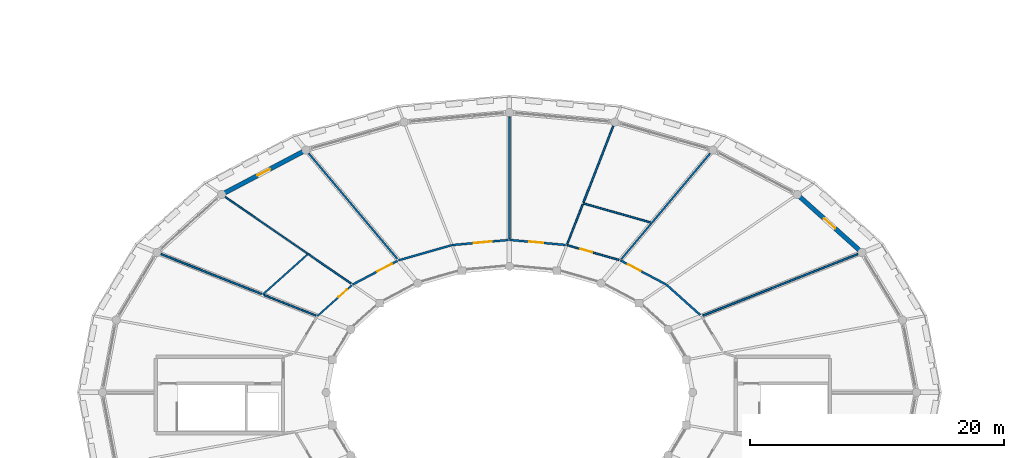
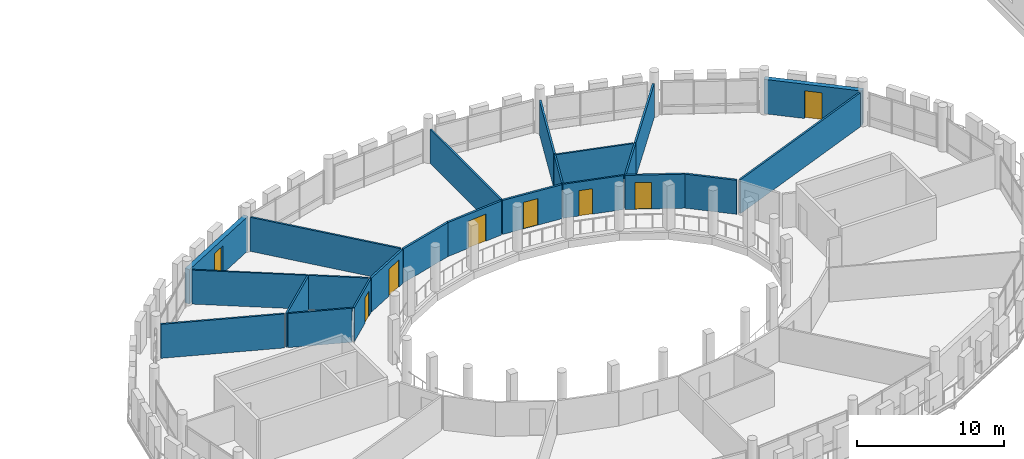
# One storey, part 74 of 84: 23 walls, 8 doors, 8 openings.
"""IFC4 building model written with IfcOpenShell, lengths in metres."""

from ifc_helpers import new_model, si_unit, direction, frame, frame_2d, origin, place, context, subcontext, project, spatial, rectangle, extrude, material, layer, layer_set, type_object, element, fill, save


model = new_model("IFC4")

# Units and contexts
model_context = context("Model", 3, precision=1e-05, world=origin(), true_north=direction((0.0, 1.0)))
body_context = subcontext(model_context, "Body", "Model", "MODEL_VIEW")
ifc_project = project(units=[si_unit("LENGTHUNIT", "METRE"), si_unit("AREAUNIT", "SQUARE_METRE"), si_unit("VOLUMEUNIT", "CUBIC_METRE"), si_unit("PLANEANGLEUNIT", "RADIAN"), si_unit("MASSUNIT", "GRAM", prefix="KILO")], contexts=[model_context])

# Site, building, storey
site_placement = place(None, origin())
site = spatial("IfcSite", under=ifc_project, at=site_placement, CompositionType="ELEMENT")
building_placement = place(site_placement, origin())
building = spatial("IfcBuilding", under=site, at=building_placement, Name="Zornivar Specialist Clinic", CompositionType="ELEMENT")
storey_placement = place(building_placement, frame((0.0, 0.0, 12.300048828125)))
storey = spatial("IfcBuildingStorey", under=building, at=storey_placement, Name="L03", CompositionType="ELEMENT", Elevation=12.300048828125)

# Wall, opening, door
ifc_material_1 = material(Name="Masonry Drum Limestone Portal Wall", Category="masonry")
ifc_layer_1 = layer(ifc_material_1, 0.35009765625)
ifc_layer_set_1 = layer_set([ifc_layer_1], Name="Masonry Drum Limestone Portal Wall")
wall_type_1 = type_object("IfcWallType", Name="EW-DRUM-350", PredefinedType="SOLIDWALL", material=ifc_layer_set_1)
wall_1_placement = place(storey_placement, frame((121.31298828125, 68.60009765625, 0.0), z_axis=(0.0, 0.0, 1.0), x_axis=(-0.744853105459, 0.66722848507, 0.0)))
wall_1 = element("IfcWall", 1, at=wall_1_placement, inside=storey, type_object=wall_type_1, Name="ew:V1:L03:c02", PredefinedType="SOLIDWALL", context=body_context, shape_type="SweptSolid", body=[
    extrude(rectangle(XDim=6.828125, YDim=0.35009765625, at=frame_2d((3.4140625, 0.0))), origin(), (0.0, 0.0, 1.0), 2.849853515625),
])
opening_1_placement = place(wall_1_placement, frame((2.81396484375, 0.0, 0.0)))
opening_1 = element("IfcOpeningElement", 2, at=opening_1_placement, cuts=wall_1, Name="Opening BD-01", PredefinedType="OPENING", context=body_context, shape_type="SweptSolid", body=[
    extrude(rectangle(XDim=1.199951171875, YDim=2.300048828125, at=frame_2d((0.60009765625, 1.14990234375))), frame((0.0, 0.18505859375, 0.0), z_axis=(0.0, -1.0, 0.0), x_axis=(1.0, 0.0, 0.0)), (0.0, 0.0, 1.0), 0.3701171875),
])
ifc_material_2 = material(Name="Thermally Broken Glazed Aluminium Door", Category="aluminium")
door_type_1 = type_object("IfcDoorType", Name="BD-BALC-1200x2300", OperationType="NOTDEFINED", PredefinedType="DOOR", material=ifc_material_2)
door_1_placement = place(opening_1_placement, origin())
door_1 = element("IfcDoor", 3, at=door_1_placement, inside=storey, type_object=door_type_1, Name="door:V1:L03:c02", OperationType="SINGLE_SWING_RIGHT", OverallHeight=2.300048828125, OverallWidth=1.199951171875, PredefinedType="DOOR", context=body_context, shape_type="SweptSolid", body=[
    extrude(rectangle(XDim=1.199951171875, YDim=2.300048828125, at=frame_2d((0.60009765625, 1.14990234375))), frame((0.0, 0.02490234375, 0.0), z_axis=(0.0, -1.0, 0.0), x_axis=(1.0, 0.0, 0.0)), (0.0, 0.0, 1.0), 0.050048828125),
])
fill(opening_1, door_1)

wall_2_placement = place(storey_placement, frame((77.60009765625, 76.653076171875, 0.0), z_axis=(0.0, 0.0, 1.0), x_axis=(-0.8844187475, -0.466694202954, 0.0)))
wall_2 = element("IfcWall", 4, at=wall_2_placement, inside=storey, type_object=wall_type_1, Name="ew:V1:L03:c08", PredefinedType="SOLIDWALL", context=body_context, shape_type="SweptSolid", body=[
    extrude(rectangle(XDim=7.4931640625, YDim=0.35009765625, at=frame_2d((3.74658203125, 0.0))), origin(), (0.0, 0.0, 1.0), 2.849853515625),
])
opening_2_placement = place(wall_2_placement, frame((3.197021484375, 0.0, 0.0)))
opening_2 = element("IfcOpeningElement", 5, at=opening_2_placement, cuts=wall_2, Name="Opening BD-02", PredefinedType="OPENING", context=body_context, shape_type="SweptSolid", body=[
    extrude(rectangle(XDim=1.10009765625, YDim=2.300048828125, at=frame_2d((0.550048828125, 1.14990234375))), frame((0.0, 0.18505859375, 0.0), z_axis=(0.0, -1.0, 0.0), x_axis=(1.0, 0.0, 0.0)), (0.0, 0.0, 1.0), 0.3701171875),
])
ifc_material_3 = material(Name="Thermally Broken Glazed Aluminium Door", Category="aluminium")
door_type_2 = type_object("IfcDoorType", Name="BD-BALC-1100x2300", OperationType="NOTDEFINED", PredefinedType="DOOR", material=ifc_material_3)
door_2_placement = place(opening_2_placement, origin())
door_2 = element("IfcDoor", 6, at=door_2_placement, inside=storey, type_object=door_type_2, Name="door:V1:L03:c08", OperationType="SINGLE_SWING_RIGHT", OverallHeight=2.300048828125, OverallWidth=1.10009765625, PredefinedType="DOOR", context=body_context, shape_type="SweptSolid", body=[
    extrude(rectangle(XDim=1.10009765625, YDim=2.300048828125, at=frame_2d((0.550048828125, 1.14990234375))), frame((0.0, 0.02490234375, 0.0), z_axis=(0.0, -1.0, 0.0), x_axis=(1.0, 0.0, 0.0)), (0.0, 0.0, 1.0), 0.050048828125),
])
fill(opening_2, door_2)

# Walls
ifc_material_4 = material(Name="Acoustic Clinical Stud Partition")
ifc_layer_2 = layer(ifc_material_4, 0.139892578125)
ifc_layer_set_2 = layer_set([ifc_layer_2], Name="Acoustic Clinical Stud Partition")
wall_type_2 = type_object("IfcWallType", Name="IW-CLIN-140", PredefinedType="PARTITIONING", material=ifc_layer_set_2)
wall_3_placement = place(storey_placement, frame((108.802978515625, 63.634033203125, 0.0), z_axis=(0.0, 0.0, 1.0), x_axis=(0.929434419676, 0.368987343309, 0.0)))
element("IfcWall", 7, at=wall_3_placement, inside=storey, type_object=wall_type_2, Name="iw:L03:002", PredefinedType="PARTITIONING", context=body_context, shape_type="SweptSolid", body=[
    extrude(rectangle(XDim=13.125244140625, YDim=0.139892578125, at=frame_2d((6.5625, 0.0))), origin(), (0.0, 0.0, 1.0), 2.820068359375),
])
wall_4_placement = place(storey_placement, frame((104.802978515625, 70.93994140625, 0.0), z_axis=(0.0, 0.0, 1.0), x_axis=(0.6431052921, 0.765777763632, 0.0)))
element("IfcWall", 8, at=wall_4_placement, inside=storey, type_object=wall_type_2, Name="iw:L03:006", PredefinedType="PARTITIONING", context=body_context, shape_type="SweptSolid", body=[
    extrude(rectangle(XDim=7.124755859375, YDim=0.139892578125, at=frame_2d((3.5625, 0.0))), origin(), (0.0, 0.0, 1.0), 2.820068359375),
])
wall_5_placement = place(storey_placement, frame((101.760009765625, 78.5380859375, 0.0), z_axis=(0.0, 0.0, 1.0), x_axis=(-0.363060127059, -0.931765713117, 0.0)))
element("IfcWall", 9, at=wall_5_placement, inside=storey, type_object=wall_type_2, Name="iw:L03:011", PredefinedType="PARTITIONING", context=body_context, shape_type="SweptSolid", body=[
    extrude(rectangle(XDim=6.4287109375, YDim=0.139892578125, at=frame_2d((3.21435546875, 0.0))), origin(), (0.0, 0.0, 1.0), 2.820068359375),
])
wall_6_placement = place(storey_placement, frame((93.60009765625, 69.69091796875, 0.0), z_axis=(0.0, 0.0, 1.0), x_axis=(0.0, 1.0, 0.0)))
element("IfcWall", 10, at=wall_6_placement, inside=storey, type_object=wall_type_2, Name="iw:L03:013", PredefinedType="PARTITIONING", context=body_context, shape_type="SweptSolid", body=[
    extrude(rectangle(XDim=9.573974609375, YDim=0.139892578125, at=frame_2d((4.787109375, 0.0))), origin(), (0.0, 0.0, 1.0), 2.820068359375),
])
wall_7_placement = place(storey_placement, frame((84.7939453125, 68.0869140625, 0.0), z_axis=(0.0, 0.0, 1.0), x_axis=(-0.643158316092, 0.765733230598, 0.0)))
element("IfcWall", 11, at=wall_7_placement, inside=storey, type_object=wall_type_2, Name="iw:L03:016", PredefinedType="PARTITIONING", context=body_context, shape_type="SweptSolid", body=[
    extrude(rectangle(XDim=10.85107421875, YDim=0.139892578125, at=frame_2d((5.425537109375, 0.0))), origin(), (0.0, 0.0, 1.0), 2.820068359375),
])
wall_8_placement = place(storey_placement, frame((66.197998046875, 68.47607421875, 0.0), z_axis=(0.0, 0.0, 1.0), x_axis=(0.929478044239, -0.368877439371, 0.0)))
element("IfcWall", 12, at=wall_8_placement, inside=storey, type_object=wall_type_2, Name="iw:L03:024", PredefinedType="PARTITIONING", context=body_context, shape_type="SweptSolid", body=[
    extrude(rectangle(XDim=8.49609375, YDim=0.139892578125, at=frame_2d((4.248046875, 0.0))), origin(), (0.0, 0.0, 1.0), 2.820068359375),
])

# Wall, opening, door
ifc_material_5 = material(Name="Gypsum Fire-Rated Double Stud Partition")
ifc_layer_3 = layer(ifc_material_5, 0.159912109375)
ifc_layer_set_3 = layer_set([ifc_layer_3], Name="Gypsum Fire-Rated Double Stud Partition")
wall_type_3 = type_object("IfcWallType", Name="IW-CORR-EI60-160", PredefinedType="PARTITIONING", material=ifc_layer_set_3)
wall_9_placement = place(storey_placement, frame((105.931884765625, 66.077880859375, 0.0), z_axis=(0.0, 0.0, 1.0), x_axis=(-0.884408058246, 0.466714459289, 0.0)))
wall_9 = element("IfcWall", 13, at=wall_9_placement, inside=storey, type_object=wall_type_3, Name="iw:L03:004", PredefinedType="PARTITIONING", context=body_context, shape_type="SweptSolid", body=[
    extrude(rectangle(XDim=4.083984375, YDim=0.159912109375, at=frame_2d((2.0419921875, 0.0))), origin(), (0.0, 0.0, 1.0), 2.820068359375),
])
opening_3_placement = place(wall_9_placement, frame((2.302001953125, 0.0, 0.0)))
opening_3 = element("IfcOpeningElement", 14, at=opening_3_placement, cuts=wall_9, Name="Opening ID-05", PredefinedType="OPENING", context=body_context, shape_type="SweptSolid", body=[
    extrude(rectangle(XDim=1.10009765625, YDim=2.199951171875, at=frame_2d((0.550048828125, 1.10009765625))), frame((0.0, 0.08984375, 0.0), z_axis=(0.0, -1.0, 0.0), x_axis=(1.0, 0.0, 0.0)), (0.0, 0.0, 1.0), 0.179931640625),
])
ifc_material_6 = material(Name="Solid-Core Hygienic Laminate Timber Door", Category="wood")
door_type_3 = type_object("IfcDoorType", Name="ID-THER-1100x2200", OperationType="NOTDEFINED", PredefinedType="DOOR", material=ifc_material_6)
door_3_placement = place(opening_3_placement, origin())
door_3 = element("IfcDoor", 15, at=door_3_placement, inside=storey, type_object=door_type_3, Name="door:space:V1:L03:rm:02", OperationType="SINGLE_SWING_RIGHT", OverallHeight=2.199951171875, OverallWidth=1.10009765625, PredefinedType="DOOR", context=body_context, shape_type="SweptSolid", body=[
    extrude(rectangle(XDim=1.10009765625, YDim=2.199951171875, at=frame_2d((0.550048828125, 1.10009765625))), frame((0.0, 0.02490234375, 0.0), z_axis=(0.0, -1.0, 0.0), x_axis=(1.0, 0.0, 0.0)), (0.0, 0.0, 1.0), 0.050048828125),
])
fill(opening_3, door_3)

# Wall
wall_10_placement = place(storey_placement, frame((108.60400390625, 63.68408203125, 0.0), z_axis=(0.0, 0.0, 1.0), x_axis=(-0.744792916414, 0.667295670344, 0.0)))
element("IfcWall", 16, at=wall_10_placement, inside=storey, type_object=wall_type_3, Name="iw:L03:007", PredefinedType="PARTITIONING", context=body_context, shape_type="SweptSolid", body=[
    extrude(rectangle(XDim=3.57568359375, YDim=0.159912109375, at=frame_2d((1.787841796875, 0.0))), origin(), (0.0, 0.0, 1.0), 2.820068359375),
])

# Wall, opening, door
wall_11_placement = place(storey_placement, frame((98.009033203125, 69.19091796875, 0.0), z_axis=(0.0, 0.0, 1.0), x_axis=(-0.995926589216, 0.090167781902, 0.0)))
wall_11 = element("IfcWall", 17, at=wall_11_placement, inside=storey, type_object=wall_type_3, Name="iw:L03:012", PredefinedType="PARTITIONING", context=body_context, shape_type="SweptSolid", body=[
    extrude(rectangle(XDim=4.427001953125, YDim=0.159912109375, at=frame_2d((2.21337890625, 0.0))), origin(), (0.0, 0.0, 1.0), 2.820068359375),
])
opening_4_placement = place(wall_11_placement, frame((1.77099609375, 0.0, 0.0)))
opening_4 = element("IfcOpeningElement", 18, at=opening_4_placement, cuts=wall_11, Name="Opening ID-05", PredefinedType="OPENING", context=body_context, shape_type="SweptSolid", body=[
    extrude(rectangle(XDim=1.10009765625, YDim=2.199951171875, at=frame_2d((0.550048828125, 1.10009765625))), frame((0.0, 0.08984375, 0.0), z_axis=(0.0, -1.0, 0.0), x_axis=(1.0, 0.0, 0.0)), (0.0, 0.0, 1.0), 0.179931640625),
])
door_4_placement = place(opening_4_placement, origin())
door_4 = element("IfcDoor", 19, at=door_4_placement, inside=storey, type_object=door_type_3, Name="door:space:V1:L03:rm:04", OperationType="SINGLE_SWING_RIGHT", OverallHeight=2.199951171875, OverallWidth=1.10009765625, PredefinedType="DOOR", context=body_context, shape_type="SweptSolid", body=[
    extrude(rectangle(XDim=1.10009765625, YDim=2.199951171875, at=frame_2d((0.550048828125, 1.10009765625))), frame((0.0, 0.02490234375, 0.0), z_axis=(0.0, -1.0, 0.0), x_axis=(1.0, 0.0, 0.0)), (0.0, 0.0, 1.0), 0.050048828125),
])
fill(opening_4, door_4)

wall_12_placement = place(storey_placement, frame((93.509033203125, 69.58203125, 0.0), z_axis=(0.0, 0.0, 1.0), x_axis=(-0.995913008264, -0.090317661455, 0.0)))
wall_12 = element("IfcWall", 20, at=wall_12_placement, inside=storey, type_object=wall_type_3, Name="iw:L03:014", PredefinedType="PARTITIONING", context=body_context, shape_type="SweptSolid", body=[
    extrude(rectangle(XDim=4.441162109375, YDim=0.159912109375, at=frame_2d((2.220703125, 0.0))), origin(), (0.0, 0.0, 1.0), 2.820068359375),
])
opening_5_placement = place(wall_12_placement, frame((1.2919921875, 0.0, 0.0)))
opening_5 = element("IfcOpeningElement", 21, at=opening_5_placement, cuts=wall_12, Name="Opening ID-11", PredefinedType="OPENING", context=body_context, shape_type="SweptSolid", body=[
    extrude(rectangle(XDim=1.449951171875, YDim=2.25, at=frame_2d((0.72509765625, 1.125))), frame((0.0, 0.08984375, 0.0), z_axis=(0.0, -1.0, 0.0), x_axis=(1.0, 0.0, 0.0)), (0.0, 0.0, 1.0), 0.179931640625),
])
ifc_material_7 = material(Name="Solid-Core Hygienic Laminate Timber Door", Category="wood")
door_type_4 = type_object("IfcDoorType", Name="ID-INFUS-1450x2250", OperationType="NOTDEFINED", PredefinedType="DOOR", material=ifc_material_7)
door_5_placement = place(opening_5_placement, origin())
door_5 = element("IfcDoor", 22, at=door_5_placement, inside=storey, type_object=door_type_4, Name="door:space:V1:L03:rm:05", OperationType="DOUBLE_DOOR_SINGLE_SWING", OverallHeight=2.25, OverallWidth=1.449951171875, PredefinedType="DOOR", context=body_context, shape_type="SweptSolid", body=[
    extrude(rectangle(XDim=1.449951171875, YDim=2.25, at=frame_2d((0.72509765625, 1.125))), frame((0.0, 0.02490234375, 0.0), z_axis=(0.0, -1.0, 0.0), x_axis=(1.0, 0.0, 0.0)), (0.0, 0.0, 1.0), 0.050048828125),
])
fill(opening_5, door_5)

# Wall
wall_13_placement = place(storey_placement, frame((89.073974609375, 69.177978515625, 0.0), z_axis=(0.0, 0.0, 1.0), x_axis=(-0.961779164404, -0.273826293329, 0.0)))
element("IfcWall", 23, at=wall_13_placement, inside=storey, type_object=wall_type_3, Name="iw:L03:015", PredefinedType="PARTITIONING", context=body_context, shape_type="SweptSolid", body=[
    extrude(rectangle(XDim=4.36083984375, YDim=0.159912109375, at=frame_2d((2.180419921875, 0.0))), origin(), (0.0, 0.0, 1.0), 2.820068359375),
])

# Wall, opening, door
wall_14_placement = place(storey_placement, frame((84.7890625, 67.93603515625, 0.0), z_axis=(0.0, 0.0, 1.0), x_axis=(-0.884400221891, -0.466729308613, 0.0)))
wall_14 = element("IfcWall", 24, at=wall_14_placement, inside=storey, type_object=wall_type_3, Name="iw:L03:017", PredefinedType="PARTITIONING", context=body_context, shape_type="SweptSolid", body=[
    extrude(rectangle(XDim=3.981201171875, YDim=0.159912109375, at=frame_2d((1.99072265625, 0.0))), origin(), (0.0, 0.0, 1.0), 2.820068359375),
])
opening_6_placement = place(wall_14_placement, frame((0.47998046875, 0.0, 0.0)))
opening_6 = element("IfcOpeningElement", 25, at=opening_6_placement, cuts=wall_14, Name="Opening ID-13", PredefinedType="OPENING", context=body_context, shape_type="SweptSolid", body=[
    extrude(rectangle(XDim=1.300048828125, YDim=2.25, at=frame_2d((0.64990234375, 1.125))), frame((0.0, 0.08984375, 0.0), z_axis=(0.0, -1.0, 0.0), x_axis=(1.0, 0.0, 0.0)), (0.0, 0.0, 1.0), 0.179931640625),
])
ifc_material_8 = material(Name="Solid-Core Hygienic Laminate Timber Door", Category="wood")
door_type_5 = type_object("IfcDoorType", Name="ID-RECOV-1300x2250", OperationType="NOTDEFINED", PredefinedType="DOOR", material=ifc_material_8)
door_6_placement = place(opening_6_placement, origin())
door_6 = element("IfcDoor", 26, at=door_6_placement, inside=storey, type_object=door_type_5, Name="door:space:V1:L03:rm:06", OperationType="SINGLE_SWING_RIGHT", OverallHeight=2.25, OverallWidth=1.300048828125, PredefinedType="DOOR", context=body_context, shape_type="SweptSolid", body=[
    extrude(rectangle(XDim=1.300048828125, YDim=2.25, at=frame_2d((0.64990234375, 1.125))), frame((0.0, 0.02490234375, 0.0), z_axis=(0.0, -1.0, 0.0), x_axis=(1.0, 0.0, 0.0)), (0.0, 0.0, 1.0), 0.050048828125),
])
fill(opening_6, door_6)

# Walls
ifc_material_9 = material(Name="Acoustic Glazed Consultation Partition")
ifc_layer_4 = layer(ifc_material_9, 0.1201171875)
ifc_layer_set_4 = layer_set([ifc_layer_4], Name="Acoustic Glazed Consultation Partition")
wall_type_4 = type_object("IfcWallType", Name="IW-GLAZ-120", PredefinedType="PARTITIONING", material=ifc_layer_set_4)
wall_15_placement = place(storey_placement, frame((77.757080078125, 68.491943359375, 0.0), z_axis=(0.0, 0.0, 1.0), x_axis=(-0.8240518458, 0.566514391197, 0.0)))
element("IfcWall", 27, at=wall_15_placement, inside=storey, type_object=wall_type_4, Name="iw:L03:019", PredefinedType="PARTITIONING", context=body_context, shape_type="SweptSolid", body=[
    extrude(rectangle(XDim=7.897705078125, YDim=0.1201171875, at=frame_2d((3.94873046875, 0.0))), origin(), (0.0, 0.0, 1.0), 2.820068359375),
])
ifc_material_10 = material(Name="Moisture-Resistant Sanitary Partition")
ifc_layer_5 = layer(ifc_material_10, 0.1298828125)
ifc_layer_set_5 = layer_set([ifc_layer_5], Name="Moisture-Resistant Sanitary Partition")
wall_type_5 = type_object("IfcWallType", Name="IW-WET-130", PredefinedType="PARTITIONING", material=ifc_layer_set_5)
wall_16_placement = place(storey_placement, frame((102.39111328125, 68.068115234375, 0.0), z_axis=(0.0, 0.0, 1.0), x_axis=(0.64304503453, 0.7658283643, 0.0)))
element("IfcWall", 28, at=wall_16_placement, inside=storey, type_object=wall_type_5, Name="iw:L03:005", PredefinedType="PARTITIONING", context=body_context, shape_type="SweptSolid", body=[
    extrude(rectangle(XDim=3.73828125, YDim=0.1298828125, at=frame_2d((1.869140625, 0.0))), origin(), (0.0, 0.0, 1.0), 2.820068359375),
])
wall_17_placement = place(storey_placement, frame((99.39501953125, 72.468017578125, 0.0), z_axis=(0.0, 0.0, 1.0), x_axis=(0.961788505004, -0.273793483563, 0.0)))
element("IfcWall", 29, at=wall_17_placement, inside=storey, type_object=wall_type_5, Name="iw:L03:008", PredefinedType="PARTITIONING", context=body_context, shape_type="SweptSolid", body=[
    extrude(rectangle(XDim=5.492919921875, YDim=0.1298828125, at=frame_2d((2.74658203125, 0.0))), origin(), (0.0, 0.0, 1.0), 2.820068359375),
])

# Wall, opening, door
wall_18_placement = place(storey_placement, frame((102.208984375, 68.01611328125, 0.0), z_axis=(0.0, 0.0, 1.0), x_axis=(-0.961845715117, 0.273592434676, 0.0)))
wall_18 = element("IfcWall", 30, at=wall_18_placement, inside=storey, type_object=wall_type_5, Name="iw:L03:009", PredefinedType="PARTITIONING", context=body_context, shape_type="SweptSolid", body=[
    extrude(rectangle(XDim=4.25732421875, YDim=0.1298828125, at=frame_2d((2.128662109375, 0.0))), origin(), (0.0, 0.0, 1.0), 2.820068359375),
])
opening_7_placement = place(wall_18_placement, frame((2.18701171875, 0.0, 0.0)))
opening_7 = element("IfcOpeningElement", 31, at=opening_7_placement, cuts=wall_18, Name="Opening ID-07", PredefinedType="OPENING", context=body_context, shape_type="SweptSolid", body=[
    extrude(rectangle(XDim=0.949951171875, YDim=2.10009765625, at=frame_2d((0.47509765625, 1.050048828125))), frame((0.0, 0.074951171875, 0.0), z_axis=(0.0, -1.0, 0.0), x_axis=(1.0, 0.0, 0.0)), (0.0, 0.0, 1.0), 0.14990234375),
])
ifc_material_11 = material(Name="Solid-Core Hygienic Laminate Timber Door", Category="wood")
door_type_6 = type_object("IfcDoorType", Name="ID-WC-ACC-0950x2100", OperationType="NOTDEFINED", PredefinedType="DOOR", material=ifc_material_11)
door_7_placement = place(opening_7_placement, origin())
door_7 = element("IfcDoor", 32, at=door_7_placement, inside=storey, type_object=door_type_6, Name="door:space:V1:L03:rm:03", OperationType="SINGLE_SWING_LEFT", OverallHeight=2.10009765625, OverallWidth=0.949951171875, PredefinedType="DOOR", context=body_context, shape_type="SweptSolid", body=[
    extrude(rectangle(XDim=0.949951171875, YDim=2.10009765625, at=frame_2d((0.47509765625, 1.050048828125))), frame((0.0, 0.02490234375, 0.0), z_axis=(0.0, -1.0, 0.0), x_axis=(1.0, 0.0, 0.0)), (0.0, 0.0, 1.0), 0.050048828125),
])
fill(opening_7, door_7)

# Walls
wall_19_placement = place(storey_placement, frame((98.14501953125, 69.260986328125, 0.0), z_axis=(0.0, 0.0, 1.0), x_axis=(0.363211414965, 0.931706750024, 0.0)))
element("IfcWall", 33, at=wall_19_placement, inside=storey, type_object=wall_type_5, Name="iw:L03:010", PredefinedType="PARTITIONING", context=body_context, shape_type="SweptSolid", body=[
    extrude(rectangle(XDim=3.356201171875, YDim=0.1298828125, at=frame_2d((1.67822265625, 0.0))), origin(), (0.0, 0.0, 1.0), 2.820068359375),
])
wall_20_placement = place(storey_placement, frame((81.152099609375, 66.156982421875, 0.0), z_axis=(0.0, 0.0, 1.0), x_axis=(-0.823936141703, 0.566682657575, 0.0)))
element("IfcWall", 34, at=wall_20_placement, inside=storey, type_object=wall_type_5, Name="iw:L03:018", PredefinedType="PARTITIONING", context=body_context, shape_type="SweptSolid", body=[
    extrude(rectangle(XDim=4.1083984375, YDim=0.1298828125, at=frame_2d((2.05419921875, 0.0))), origin(), (0.0, 0.0, 1.0), 2.820068359375),
])
wall_21_placement = place(storey_placement, frame((74.208984375, 65.297119140625, 0.0), z_axis=(0.0, 0.0, 1.0), x_axis=(0.744943870086, 0.667127147117, 0.0)))
element("IfcWall", 35, at=wall_21_placement, inside=storey, type_object=wall_type_5, Name="iw:L03:020", PredefinedType="PARTITIONING", context=body_context, shape_type="SweptSolid", body=[
    extrude(rectangle(XDim=4.680908203125, YDim=0.1298828125, at=frame_2d((2.34033203125, 0.0))), origin(), (0.0, 0.0, 1.0), 2.820068359375),
])

# Wall, opening, door
wall_22_placement = place(storey_placement, frame((81.196044921875, 66.012939453125, 0.0), z_axis=(0.0, 0.0, 1.0), x_axis=(-0.744936456677, -0.667135425168, 0.0)))
wall_22 = element("IfcWall", 36, at=wall_22_placement, inside=storey, type_object=wall_type_5, Name="iw:L03:021", PredefinedType="PARTITIONING", context=body_context, shape_type="SweptSolid", body=[
    extrude(rectangle(XDim=3.62451171875, YDim=0.1298828125, at=frame_2d((1.812255859375, 0.0))), origin(), (0.0, 0.0, 1.0), 2.820068359375),
])
opening_8_placement = place(wall_22_placement, frame((0.47998046875, 0.0, 0.0)))
opening_8 = element("IfcOpeningElement", 37, at=opening_8_placement, cuts=wall_22, Name="Opening ID-08", PredefinedType="OPENING", context=body_context, shape_type="SweptSolid", body=[
    extrude(rectangle(XDim=0.89990234375, YDim=2.10009765625, at=frame_2d((0.449951171875, 1.050048828125))), frame((0.0, 0.074951171875, 0.0), z_axis=(0.0, -1.0, 0.0), x_axis=(1.0, 0.0, 0.0)), (0.0, 0.0, 1.0), 0.14990234375),
])
ifc_material_12 = material(Name="Solid-Core Hygienic Laminate Timber Door", Category="wood")
door_type_7 = type_object("IfcDoorType", Name="ID-WC-STD-0900x2100", OperationType="NOTDEFINED", PredefinedType="DOOR", material=ifc_material_12)
door_8_placement = place(opening_8_placement, origin())
door_8 = element("IfcDoor", 38, at=door_8_placement, inside=storey, type_object=door_type_7, Name="door:space:V1:L03:rm:07", OperationType="SINGLE_SWING_LEFT", OverallHeight=2.10009765625, OverallWidth=0.89990234375, PredefinedType="DOOR", context=body_context, shape_type="SweptSolid", body=[
    extrude(rectangle(XDim=0.89990234375, YDim=2.10009765625, at=frame_2d((0.449951171875, 1.050048828125))), frame((0.0, 0.02490234375, 0.0), z_axis=(0.0, -1.0, 0.0), x_axis=(1.0, 0.0, 0.0)), (0.0, 0.0, 1.0), 0.050048828125),
])
fill(opening_8, door_8)

# Wall
wall_23_placement = place(storey_placement, frame((78.384033203125, 63.639892578125, 0.0), z_axis=(0.0, 0.0, 1.0), x_axis=(-0.929509250735, 0.368798797176, 0.0)))
element("IfcWall", 39, at=wall_23_placement, inside=storey, type_object=wall_type_5, Name="iw:L03:022", PredefinedType="PARTITIONING", context=body_context, shape_type="SweptSolid", body=[
    extrude(rectangle(XDim=4.37109375, YDim=0.1298828125, at=frame_2d((2.185546875, 0.0))), origin(), (0.0, 0.0, 1.0), 2.820068359375),
])

save(model, "model.ifc")
